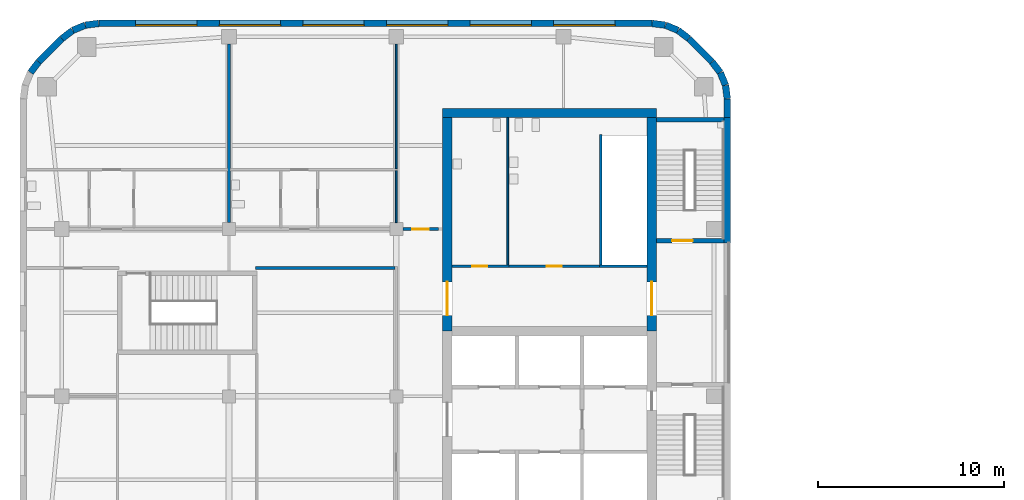
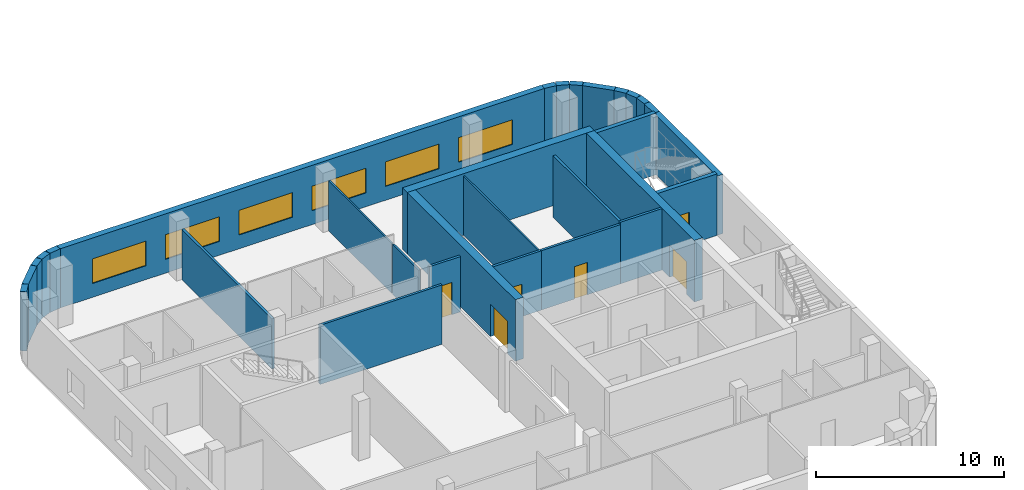
# One storey, part 7 of 15: 30 walls, 6 doors, 6 windows, 12 openings.
"""IFC4 building model written with IfcOpenShell, lengths in metres."""

from ifc_helpers import new_model, si_unit, direction, frame, frame_2d, origin, place, context, subcontext, project, spatial, rectangle, extrude, material, layer, layer_set, type_object, element, fill, save


model = new_model("IFC4")

# Units and contexts
model_context = context("Model", 3, precision=1e-05, world=origin(), true_north=direction((0.0, 1.0)))
body_context = subcontext(model_context, "Body", "Model", "MODEL_VIEW")
ifc_project = project(units=[si_unit("LENGTHUNIT", "METRE"), si_unit("AREAUNIT", "SQUARE_METRE"), si_unit("VOLUMEUNIT", "CUBIC_METRE"), si_unit("PLANEANGLEUNIT", "RADIAN"), si_unit("MASSUNIT", "GRAM", prefix="KILO")], contexts=[model_context])

# Site, building, storey
site_placement = place(None, origin())
site = spatial("IfcSite", under=ifc_project, at=site_placement, CompositionType="ELEMENT")
building_placement = place(site_placement, origin())
building = spatial("IfcBuilding", under=site, at=building_placement, Name="Cinnabar Reach Civic Tower", CompositionType="ELEMENT")
storey_placement = place(building_placement, frame((0.0, 0.0, 59.0)))
storey = spatial("IfcBuildingStorey", under=building, at=storey_placement, Name="L13", CompositionType="ELEMENT", Elevation=59.0)

# Walls
ifc_material_1 = material(Name="Facing brick with insulated backing", Category="masonry")
ifc_layer_1 = layer(ifc_material_1, 0.36)
ifc_layer_set_1 = layer_set([ifc_layer_1], Name="Brick corner wall")
wall_type_1 = type_object("IfcWallType", Name="Brick corner wall", PredefinedType="STANDARD", material=ifc_layer_set_1)
for number, where, z_axis, x_axis, name in (
    (1, (-27.183, 43.0186, 0.0), (0.0, 0.0, 1.0), (-0.13055608231, 0.99144092581, 0.0), "Brick corner wall"),
    (2, (-27.2819, 43.7473, 0.0), (0.0, 0.0, 1.0), (-0.382702709855, 0.923871547278, 0.0), "Brick corner wall"),
):
    element("IfcWall", number, at=place(storey_placement, frame(where, z_axis=z_axis, x_axis=x_axis)), inside=storey, type_object=wall_type_1, Name=name, PredefinedType="STANDARD", context=body_context, shape_type="SweptSolid", body=[
        extrude(rectangle(XDim=0.7131, YDim=0.36, at=frame_2d((0.3565, 0.0))), origin(), (0.0, 0.0, 1.0), 3.85),
    ])
for number, where, z_axis, x_axis, name in (
    (3, (-27.566, 44.4255, 0.0), (0.0, 0.0, 1.0), (-0.608802368033, 0.793321924995, 0.0), "Brick corner wall"),
    (4, (-29.2587, 46.2498, 0.0), (0.0, 0.0, 1.0), (-0.793321924995, 0.608802368033, 0.0), "Brick corner wall"),
):
    element("IfcWall", number, at=place(storey_placement, frame(where, z_axis=z_axis, x_axis=x_axis)), inside=storey, type_object=wall_type_1, Name=name, PredefinedType="STANDARD", context=body_context, shape_type="SweptSolid", body=[
        extrude(rectangle(XDim=0.7132, YDim=0.36, at=frame_2d((0.3566, 0.0))), origin(), (0.0, 0.0, 1.0), 3.85),
    ])
for number, where, z_axis, x_axis, name in (
    (5, (-29.8439, 46.6952, 0.0), (0.0, 0.0, 1.0), (-0.923871547278, 0.382702709855, 0.0), "Brick corner wall"),
    (6, (-30.5244, 46.9739, 0.0), (0.0, 0.0, 1.0), (-0.99144092581, 0.13055608231, 0.0), "Brick corner wall"),
    (7, (-61.0186, 47.067, 0.0), (0.0, 0.0, 1.0), (-0.99144092581, -0.13055608231, 0.0), "Brick corner wall"),
    (8, (-61.7473, 46.9681, 0.0), (0.0, 0.0, 1.0), (-0.923871547278, -0.382702709855, 0.0), "Brick corner wall"),
):
    element("IfcWall", number, at=place(storey_placement, frame(where, z_axis=z_axis, x_axis=x_axis)), inside=storey, type_object=wall_type_1, Name=name, PredefinedType="STANDARD", context=body_context, shape_type="SweptSolid", body=[
        extrude(rectangle(XDim=0.7131, YDim=0.36, at=frame_2d((0.3565, 0.0))), origin(), (0.0, 0.0, 1.0), 3.85),
    ])
for number, where, z_axis, x_axis, name in (
    (9, (-62.4255, 46.684, 0.0), (0.0, 0.0, 1.0), (-0.793321924995, -0.608802368033, 0.0), "Brick corner wall"),
    (10, (-64.2498, 44.9913, 0.0), (0.0, 0.0, 1.0), (-0.608802368033, -0.793321924995, 0.0), "Brick corner wall"),
):
    element("IfcWall", number, at=place(storey_placement, frame(where, z_axis=z_axis, x_axis=x_axis)), inside=storey, type_object=wall_type_1, Name=name, PredefinedType="STANDARD", context=body_context, shape_type="SweptSolid", body=[
        extrude(rectangle(XDim=0.7132, YDim=0.36, at=frame_2d((0.3566, 0.0))), origin(), (0.0, 0.0, 1.0), 3.85),
    ])
ifc_layer_2 = layer(ifc_material_1, 0.36)
ifc_layer_set_2 = layer_set([ifc_layer_2], Name="Brick pier and spandrel wall")
wall_type_2 = type_object("IfcWallType", Name="Brick pier and spandrel wall", PredefinedType="STANDARD", material=ifc_layer_set_2)
wall_1_placement = place(storey_placement, frame((-27.18, 35.25, 0.0), z_axis=(0.0, 0.0, 1.0), x_axis=(0.0, 1.0, 0.0)))
element("IfcWall", 11, at=wall_1_placement, inside=storey, type_object=wall_type_2, Name="Brick facade wall", PredefinedType="STANDARD", context=body_context, shape_type="SweptSolid", body=[
    extrude(rectangle(XDim=6.75, YDim=0.36, at=frame_2d((3.375, 0.0))), origin(), (0.0, 0.0, 1.0), 3.85),
])
wall_2_placement = place(storey_placement, frame((-27.18, 42.0, 0.0), z_axis=(0.0, 0.0, 1.0), x_axis=(0.0, 1.0, 0.0)))
element("IfcWall", 12, at=wall_2_placement, inside=storey, type_object=wall_type_2, Name="Brick facade wall", PredefinedType="STANDARD", context=body_context, shape_type="SweptSolid", body=[
    extrude(rectangle(XDim=1.0074, YDim=0.36, at=frame_2d((0.5037, 0.0))), origin(), (0.0, 0.0, 1.0), 3.85),
])
wall_3_placement = place(storey_placement, frame((-28.006, 45.0014, 0.0), z_axis=(0.0, 0.0, 1.0), x_axis=(-0.707106781187, 0.707106781187, 0.0)))
element("IfcWall", 13, at=wall_3_placement, inside=storey, type_object=wall_type_2, Name="Brick facade wall", PredefinedType="STANDARD", context=body_context, shape_type="SweptSolid", body=[
    extrude(rectangle(XDim=1.7573, YDim=0.36, at=frame_2d((0.8787, 0.0))), origin(), (0.0, 0.0, 1.0), 3.85),
])

# Wall, openings, windows
wall_4_placement = place(storey_placement, frame((-31.2426, 47.07, 0.0), z_axis=(0.0, 0.0, 1.0), x_axis=(-1.0, 0.0, 0.0)))
wall_4 = element("IfcWall", 14, at=wall_4_placement, inside=storey, type_object=wall_type_2, Name="Brick facade wall", PredefinedType="STANDARD", context=body_context, shape_type="SweptSolid", body=[
    extrude(rectangle(XDim=29.7648, YDim=0.36, at=frame_2d((14.8824, 0.0))), origin(), (0.0, 0.0, 1.0), 3.85),
])
opening_1_placement = place(wall_4_placement, frame((1.9824, 0.0, 0.9)))
opening_1 = element("IfcOpeningElement", 15, at=opening_1_placement, cuts=wall_4, Name="Opening W2522", PredefinedType="OPENING", context=body_context, shape_type="SweptSolid", body=[
    extrude(rectangle(XDim=3.3, YDim=1.6, at=frame_2d((1.65, 0.8))), frame((0.0, 0.19, 0.0), z_axis=(0.0, -1.0, 0.0), x_axis=(1.0, 0.0, 0.0)), (0.0, 0.0, 1.0), 0.38),
])
opening_2_placement = place(wall_4_placement, frame((6.4824, 0.0, 0.9)))
opening_2 = element("IfcOpeningElement", 16, at=opening_2_placement, cuts=wall_4, Name="Opening W2523", PredefinedType="OPENING", context=body_context, shape_type="SweptSolid", body=[
    extrude(rectangle(XDim=3.3, YDim=1.6, at=frame_2d((1.65, 0.8))), frame((0.0, 0.19, 0.0), z_axis=(0.0, -1.0, 0.0), x_axis=(1.0, 0.0, 0.0)), (0.0, 0.0, 1.0), 0.38),
])
opening_3_placement = place(wall_4_placement, frame((10.9824, 0.0, 0.9)))
opening_3 = element("IfcOpeningElement", 17, at=opening_3_placement, cuts=wall_4, Name="Opening W2524", PredefinedType="OPENING", context=body_context, shape_type="SweptSolid", body=[
    extrude(rectangle(XDim=3.3, YDim=1.6, at=frame_2d((1.65, 0.8))), frame((0.0, 0.19, 0.0), z_axis=(0.0, -1.0, 0.0), x_axis=(1.0, 0.0, 0.0)), (0.0, 0.0, 1.0), 0.38),
])
opening_4_placement = place(wall_4_placement, frame((15.4824, 0.0, 0.9)))
opening_4 = element("IfcOpeningElement", 18, at=opening_4_placement, cuts=wall_4, Name="Opening W2525", PredefinedType="OPENING", context=body_context, shape_type="SweptSolid", body=[
    extrude(rectangle(XDim=3.3, YDim=1.6, at=frame_2d((1.65, 0.8))), frame((0.0, 0.19, 0.0), z_axis=(0.0, -1.0, 0.0), x_axis=(1.0, 0.0, 0.0)), (0.0, 0.0, 1.0), 0.38),
])
opening_5_placement = place(wall_4_placement, frame((19.9824, 0.0, 0.9)))
opening_5 = element("IfcOpeningElement", 19, at=opening_5_placement, cuts=wall_4, Name="Opening W2526", PredefinedType="OPENING", context=body_context, shape_type="SweptSolid", body=[
    extrude(rectangle(XDim=3.3, YDim=1.6, at=frame_2d((1.65, 0.8))), frame((0.0, 0.19, 0.0), z_axis=(0.0, -1.0, 0.0), x_axis=(1.0, 0.0, 0.0)), (0.0, 0.0, 1.0), 0.38),
])
opening_6_placement = place(wall_4_placement, frame((24.4824, 0.0, 0.9)))
opening_6 = element("IfcOpeningElement", 20, at=opening_6_placement, cuts=wall_4, Name="Opening W2527", PredefinedType="OPENING", context=body_context, shape_type="SweptSolid", body=[
    extrude(rectangle(XDim=3.3, YDim=1.6, at=frame_2d((1.65, 0.8))), frame((0.0, 0.19, 0.0), z_axis=(0.0, -1.0, 0.0), x_axis=(1.0, 0.0, 0.0)), (0.0, 0.0, 1.0), 0.38),
])
ifc_material_2 = material(Name="Clear double glazing in aluminium frame", Category="aluminium")
window_type = type_object("IfcWindowType", Name="Deep-set window A", PartitioningType="SINGLE_PANEL", PredefinedType="WINDOW", material=ifc_material_2)
window_1_placement = place(opening_1_placement, origin())
window_1 = element("IfcWindow", 21, at=window_1_placement, inside=storey, type_object=window_type, Name="Window north face", OverallHeight=1.6, OverallWidth=3.3, PartitioningType="SINGLE_PANEL", PredefinedType="WINDOW", context=body_context, shape_type="SweptSolid", body=[
    extrude(rectangle(XDim=3.3, YDim=1.6, at=frame_2d((1.65, 0.8))), frame((0.0, 0.13, 0.0), z_axis=(0.0, -1.0, 0.0), x_axis=(1.0, 0.0, 0.0)), (0.0, 0.0, 1.0), 0.06),
])
fill(opening_1, window_1)
window_2_placement = place(opening_2_placement, origin())
window_2 = element("IfcWindow", 22, at=window_2_placement, inside=storey, type_object=window_type, Name="Window north face", OverallHeight=1.6, OverallWidth=3.3, PartitioningType="SINGLE_PANEL", PredefinedType="WINDOW", context=body_context, shape_type="SweptSolid", body=[
    extrude(rectangle(XDim=3.3, YDim=1.6, at=frame_2d((1.65, 0.8))), frame((0.0, 0.13, 0.0), z_axis=(0.0, -1.0, 0.0), x_axis=(1.0, 0.0, 0.0)), (0.0, 0.0, 1.0), 0.06),
])
fill(opening_2, window_2)
window_3_placement = place(opening_3_placement, origin())
window_3 = element("IfcWindow", 23, at=window_3_placement, inside=storey, type_object=window_type, Name="Window north face", OverallHeight=1.6, OverallWidth=3.3, PartitioningType="SINGLE_PANEL", PredefinedType="WINDOW", context=body_context, shape_type="SweptSolid", body=[
    extrude(rectangle(XDim=3.3, YDim=1.6, at=frame_2d((1.65, 0.8))), frame((0.0, 0.13, 0.0), z_axis=(0.0, -1.0, 0.0), x_axis=(1.0, 0.0, 0.0)), (0.0, 0.0, 1.0), 0.06),
])
fill(opening_3, window_3)
window_4_placement = place(opening_4_placement, origin())
window_4 = element("IfcWindow", 24, at=window_4_placement, inside=storey, type_object=window_type, Name="Window north face", OverallHeight=1.6, OverallWidth=3.3, PartitioningType="SINGLE_PANEL", PredefinedType="WINDOW", context=body_context, shape_type="SweptSolid", body=[
    extrude(rectangle(XDim=3.3, YDim=1.6, at=frame_2d((1.65, 0.8))), frame((0.0, 0.13, 0.0), z_axis=(0.0, -1.0, 0.0), x_axis=(1.0, 0.0, 0.0)), (0.0, 0.0, 1.0), 0.06),
])
fill(opening_4, window_4)
window_5_placement = place(opening_5_placement, origin())
window_5 = element("IfcWindow", 25, at=window_5_placement, inside=storey, type_object=window_type, Name="Window north face", OverallHeight=1.6, OverallWidth=3.3, PartitioningType="SINGLE_PANEL", PredefinedType="WINDOW", context=body_context, shape_type="SweptSolid", body=[
    extrude(rectangle(XDim=3.3, YDim=1.6, at=frame_2d((1.65, 0.8))), frame((0.0, 0.13, 0.0), z_axis=(0.0, -1.0, 0.0), x_axis=(1.0, 0.0, 0.0)), (0.0, 0.0, 1.0), 0.06),
])
fill(opening_5, window_5)
window_6_placement = place(opening_6_placement, origin())
window_6 = element("IfcWindow", 26, at=window_6_placement, inside=storey, type_object=window_type, Name="Window north face", OverallHeight=1.6, OverallWidth=3.3, PartitioningType="SINGLE_PANEL", PredefinedType="WINDOW", context=body_context, shape_type="SweptSolid", body=[
    extrude(rectangle(XDim=3.3, YDim=1.6, at=frame_2d((1.65, 0.8))), frame((0.0, 0.13, 0.0), z_axis=(0.0, -1.0, 0.0), x_axis=(1.0, 0.0, 0.0)), (0.0, 0.0, 1.0), 0.06),
])
fill(opening_6, window_6)

# Walls
wall_5_placement = place(storey_placement, frame((-63.0014, 46.244, 0.0), z_axis=(0.0, 0.0, 1.0), x_axis=(-0.707106781187, -0.707106781187, 0.0)))
element("IfcWall", 27, at=wall_5_placement, inside=storey, type_object=wall_type_2, Name="Brick facade wall", PredefinedType="STANDARD", context=body_context, shape_type="SweptSolid", body=[
    extrude(rectangle(XDim=1.7573, YDim=0.36, at=frame_2d((0.8787, 0.0))), origin(), (0.0, 0.0, 1.0), 3.85),
])
ifc_material_3 = material(Name="Concrete C60", Category="concrete")
ifc_layer_3 = layer(ifc_material_3, 0.5)
ifc_layer_set_3 = layer_set([ifc_layer_3], Name="Core wall 500 EI 180")
wall_type_3 = type_object("IfcWallType", Name="Core wall 500 EI 180", PredefinedType="SOLIDWALL", material=ifc_layer_set_3)
wall_6_placement = place(storey_placement, frame((-31.0, 42.25, 0.0), z_axis=(0.0, 0.0, 1.0), x_axis=(-1.0, 0.0, 0.0)))
element("IfcWall", 28, at=wall_6_placement, inside=storey, type_object=wall_type_3, Name="Core wall T2 L13 N", PredefinedType="SOLIDWALL", context=body_context, shape_type="SweptSolid", body=[
    extrude(rectangle(XDim=11.5, YDim=0.5, at=frame_2d((5.75, 0.0))), origin(), (0.0, 0.0, 1.0), 4.0),
])

# Wall, opening, door
wall_7_placement = place(storey_placement, frame((-31.25, 30.5, 0.0), z_axis=(0.0, 0.0, 1.0), x_axis=(0.0, 1.0, 0.0)))
wall_7 = element("IfcWall", 29, at=wall_7_placement, inside=storey, type_object=wall_type_3, Name="Core wall T2 L13 E2", PredefinedType="SOLIDWALL", context=body_context, shape_type="SweptSolid", body=[
    extrude(rectangle(XDim=11.5, YDim=0.5, at=frame_2d((5.75, 0.0))), origin(), (0.0, 0.0, 1.0), 4.0),
])
opening_7_placement = place(wall_7_placement, frame((0.85, 0.0, 0.0)))
opening_7 = element("IfcOpeningElement", 30, at=opening_7_placement, cuts=wall_7, Name="Opening D6493", PredefinedType="OPENING", context=body_context, shape_type="SweptSolid", body=[
    extrude(rectangle(XDim=1.8, YDim=2.1, at=frame_2d((0.9, 1.05))), frame((0.0, 0.26, 0.0), z_axis=(0.0, -1.0, 0.0), x_axis=(1.0, 0.0, 0.0)), (0.0, 0.0, 1.0), 0.52),
])
ifc_material_4 = material(Name="Steel fire door", Category="steel")
door_type_1 = type_object("IfcDoorType", Name="T2 Double door 1800", OperationType="DOUBLE_DOOR_SINGLE_SWING", PredefinedType="DOOR", material=ifc_material_4)
door_1_placement = place(opening_7_placement, origin())
door_1 = element("IfcDoor", 31, at=door_1_placement, inside=storey, type_object=door_type_1, Name="T2 Double door D6493", OperationType="DOUBLE_DOOR_SINGLE_SWING", OverallHeight=2.1, OverallWidth=1.8, PredefinedType="DOOR", context=body_context, shape_type="SweptSolid", body=[
    extrude(rectangle(XDim=1.8, YDim=2.1, at=frame_2d((0.9, 1.05))), frame((0.0, 0.025, 0.0), z_axis=(0.0, -1.0, 0.0), x_axis=(1.0, 0.0, 0.0)), (0.0, 0.0, 1.0), 0.05),
])
fill(opening_7, door_1)

wall_8_placement = place(storey_placement, frame((-42.25, 42.0, 0.0), z_axis=(0.0, 0.0, 1.0), x_axis=(0.0, -1.0, 0.0)))
wall_8 = element("IfcWall", 32, at=wall_8_placement, inside=storey, type_object=wall_type_3, Name="Core wall T2 L13 W", PredefinedType="SOLIDWALL", context=body_context, shape_type="SweptSolid", body=[
    extrude(rectangle(XDim=11.5, YDim=0.5, at=frame_2d((5.75, 0.0))), origin(), (0.0, 0.0, 1.0), 4.0),
])
opening_8_placement = place(wall_8_placement, frame((8.85, 0.0, 0.0)))
opening_8 = element("IfcOpeningElement", 33, at=opening_8_placement, cuts=wall_8, Name="Opening D6495", PredefinedType="OPENING", context=body_context, shape_type="SweptSolid", body=[
    extrude(rectangle(XDim=1.8, YDim=2.1, at=frame_2d((0.9, 1.05))), frame((0.0, 0.26, 0.0), z_axis=(0.0, -1.0, 0.0), x_axis=(1.0, 0.0, 0.0)), (0.0, 0.0, 1.0), 0.52),
])
door_2_placement = place(opening_8_placement, frame((1.8, 0.0, 0.0), z_axis=(0.0, 0.0, 1.0), x_axis=(-1.0, 0.0, 0.0)))
door_2 = element("IfcDoor", 34, at=door_2_placement, inside=storey, type_object=door_type_1, Name="T2 Double door D6495", OperationType="DOUBLE_DOOR_SINGLE_SWING", OverallHeight=2.1, OverallWidth=1.8, PredefinedType="DOOR", context=body_context, shape_type="SweptSolid", body=[
    extrude(rectangle(XDim=1.8, YDim=2.1, at=frame_2d((0.9, 1.05))), frame((0.0, 0.025, 0.0), z_axis=(0.0, -1.0, 0.0), x_axis=(1.0, 0.0, 0.0)), (0.0, 0.0, 1.0), 0.05),
])
fill(opening_8, door_2)

ifc_material_5 = material(Name="Gypsum board on steel studs, double layer", Category="steel")
ifc_layer_4 = layer(ifc_material_5, 0.15)
ifc_layer_set_4 = layer_set([ifc_layer_4], Name="Corridor wall 150 T2")
wall_type_4 = type_object("IfcWallType", Name="Corridor wall 150 T2", PredefinedType="PARTITIONING", material=ifc_layer_set_4)
wall_9_placement = place(storey_placement, frame((-44.65, 36.0, 0.0), z_axis=(0.0, 0.0, 1.0), x_axis=(1.0, 0.0, 0.0)))
wall_9 = element("IfcWall", 35, at=wall_9_placement, inside=storey, type_object=wall_type_4, Name="Corridor wall 5", PredefinedType="PARTITIONING", context=body_context, shape_type="SweptSolid", body=[
    extrude(rectangle(XDim=1.925, YDim=0.15, at=frame_2d((0.9625, 0.0))), origin(), (0.0, 0.0, 1.0), 3.602),
])
opening_9_placement = place(wall_9_placement, frame((0.5, 0.0, 0.0)))
opening_9 = element("IfcOpeningElement", 36, at=opening_9_placement, cuts=wall_9, Name="Opening D6498", PredefinedType="OPENING", context=body_context, shape_type="SweptSolid", body=[
    extrude(rectangle(XDim=0.9, YDim=2.1, at=frame_2d((0.45, 1.05))), frame((0.0, 0.085, 0.0), z_axis=(0.0, -1.0, 0.0), x_axis=(1.0, 0.0, 0.0)), (0.0, 0.0, 1.0), 0.17),
])
ifc_material_6 = material(Name="Timber door leaf in steel frame", Category="steel")
door_type_2 = type_object("IfcDoorType", Name="Single swing door 900 x 2100 T2", OperationType="SINGLE_SWING_LEFT", PredefinedType="DOOR", material=ifc_material_6)
door_3_placement = place(opening_9_placement, origin())
door_3 = element("IfcDoor", 37, at=door_3_placement, inside=storey, type_object=door_type_2, Name="Door D6498", OperationType="SINGLE_SWING_LEFT", OverallHeight=2.1, OverallWidth=0.9, PredefinedType="DOOR", context=body_context, shape_type="SweptSolid", body=[
    extrude(rectangle(XDim=0.9, YDim=2.1, at=frame_2d((0.45, 1.05))), frame((0.0, 0.025, 0.0), z_axis=(0.0, -1.0, 0.0), x_axis=(1.0, 0.0, 0.0)), (0.0, 0.0, 1.0), 0.05),
])
fill(opening_9, door_3)

# Walls
wall_10_placement = place(storey_placement, frame((-52.575, 33.9, 0.0), z_axis=(0.0, 0.0, 1.0), x_axis=(1.0, 0.0, 0.0)))
element("IfcWall", 38, at=wall_10_placement, inside=storey, type_object=wall_type_4, Name="Corridor wall 12", PredefinedType="PARTITIONING", context=body_context, shape_type="SweptSolid", body=[
    extrude(rectangle(XDim=7.5, YDim=0.15, at=frame_2d((3.75, 0.0))), origin(), (0.0, 0.0, 1.0), 3.85),
])
ifc_material_7 = material(Name="Gypsum board on steel studs", Category="steel")
ifc_layer_5 = layer(ifc_material_7, 0.1)
ifc_layer_set_5 = layer_set([ifc_layer_5], Name="Partition wall 100 T2")
wall_type_5 = type_object("IfcWallType", Name="Partition wall 100 T2", PredefinedType="PARTITIONING", material=ifc_layer_set_5)
wall_11_placement = place(storey_placement, frame((-45.0, 39.25, 0.0), z_axis=(0.0, 0.0, 1.0), x_axis=(0.0, 1.0, 0.0)))
element("IfcWall", 39, at=wall_11_placement, inside=storey, type_object=wall_type_5, Name="Partition wall 20", PredefinedType="PARTITIONING", context=body_context, shape_type="SweptSolid", body=[
    extrude(rectangle(XDim=6.7, YDim=0.1, at=frame_2d((3.35, 0.0))), origin(), (0.0, 0.0, 1.0), 3.256),
])
wall_12_placement = place(storey_placement, frame((-45.0, 36.35, 0.0), z_axis=(0.0, 0.0, 1.0), x_axis=(0.0, 1.0, 0.0)))
element("IfcWall", 40, at=wall_12_placement, inside=storey, type_object=wall_type_5, Name="Partition wall 21", PredefinedType="PARTITIONING", context=body_context, shape_type="SweptSolid", body=[
    extrude(rectangle(XDim=2.8, YDim=0.1, at=frame_2d((1.4, 0.0))), origin(), (0.0, 0.0, 1.0), 3.256),
])

# Wall, opening, door
ifc_layer_6 = layer(ifc_material_3, 0.25)
ifc_layer_set_6 = layer_set([ifc_layer_6], Name="Stair shaft wall 250 EI 120")
wall_type_6 = type_object("IfcWallType", Name="Stair shaft wall 250 EI 120", PredefinedType="SOLIDWALL", material=ifc_layer_set_6)
wall_13_placement = place(storey_placement, frame((-31.0, 35.375, 0.0), z_axis=(0.0, 0.0, 1.0), x_axis=(1.0, 0.0, 0.0)))
wall_13 = element("IfcWall", 41, at=wall_13_placement, inside=storey, type_object=wall_type_6, Name="Stair shaft wall T2-S2 L13", PredefinedType="SOLIDWALL", context=body_context, shape_type="SweptSolid", body=[
    extrude(rectangle(XDim=3.64, YDim=0.25, at=frame_2d((1.82, 0.0))), origin(), (0.0, 0.0, 1.0), 4.0),
])
opening_10_placement = place(wall_13_placement, frame((0.85, 0.0, 0.0)))
opening_10 = element("IfcOpeningElement", 42, at=opening_10_placement, cuts=wall_13, Name="Opening D6492", PredefinedType="OPENING", context=body_context, shape_type="SweptSolid", body=[
    extrude(rectangle(XDim=1.1, YDim=2.1, at=frame_2d((0.55, 1.05))), frame((0.0, 0.135, 0.0), z_axis=(0.0, -1.0, 0.0), x_axis=(1.0, 0.0, 0.0)), (0.0, 0.0, 1.0), 0.27),
])
door_type_3 = type_object("IfcDoorType", Name="T2 Stair door 1100", OperationType="SINGLE_SWING_LEFT", PredefinedType="DOOR", material=ifc_material_4)
door_4_placement = place(opening_10_placement, origin())
door_4 = element("IfcDoor", 43, at=door_4_placement, inside=storey, type_object=door_type_3, Name="T2 Stair door D6492", OperationType="SINGLE_SWING_LEFT", OverallHeight=2.1, OverallWidth=1.1, PredefinedType="DOOR", context=body_context, shape_type="SweptSolid", body=[
    extrude(rectangle(XDim=1.1, YDim=2.1, at=frame_2d((0.55, 1.05))), frame((0.0, 0.025, 0.0), z_axis=(0.0, -1.0, 0.0), x_axis=(1.0, 0.0, 0.0)), (0.0, 0.0, 1.0), 0.05),
])
fill(opening_10, door_4)

# Wall
wall_14_placement = place(storey_placement, frame((-27.36, 41.875, 0.0), z_axis=(0.0, 0.0, 1.0), x_axis=(-1.0, 0.0, 0.0)))
element("IfcWall", 44, at=wall_14_placement, inside=storey, type_object=wall_type_6, Name="Stair shaft wall T2-S2 L13", PredefinedType="SOLIDWALL", context=body_context, shape_type="SweptSolid", body=[
    extrude(rectangle(XDim=3.64, YDim=0.25, at=frame_2d((1.82, 0.0))), origin(), (0.0, 0.0, 1.0), 4.0),
])

# Wall, opening, door
ifc_material_8 = material(Name="Masonry block partition", Category="masonry")
ifc_layer_7 = layer(ifc_material_8, 0.15)
ifc_layer_set_7 = layer_set([ifc_layer_7], Name="T2 Corridor wall 150")
wall_type_7 = type_object("IfcWallType", Name="T2 Corridor wall 150", PredefinedType="PARTITIONING", material=ifc_layer_set_7)
wall_15_placement = place(storey_placement, frame((-38.925, 34.0, 0.0), z_axis=(0.0, 0.0, 1.0), x_axis=(-1.0, 0.0, 0.0)))
wall_15 = element("IfcWall", 45, at=wall_15_placement, inside=storey, type_object=wall_type_7, Name="T2 Corridor wall L13 014", PredefinedType="PARTITIONING", context=body_context, shape_type="SweptSolid", body=[
    extrude(rectangle(XDim=3.075, YDim=0.15, at=frame_2d((1.5375, 0.0))), origin(), (0.0, 0.0, 1.0), 3.85),
])
opening_11_placement = place(wall_15_placement, frame((1.175, 0.0, 0.0)))
opening_11 = element("IfcOpeningElement", 46, at=opening_11_placement, cuts=wall_15, Name="Opening D6496", PredefinedType="OPENING", context=body_context, shape_type="SweptSolid", body=[
    extrude(rectangle(XDim=0.8, YDim=2.1, at=frame_2d((0.4, 1.05))), frame((0.0, 0.085, 0.0), z_axis=(0.0, -1.0, 0.0), x_axis=(1.0, 0.0, 0.0)), (0.0, 0.0, 1.0), 0.17),
])
ifc_material_9 = material(Name="Timber door leaf", Category="wood")
door_type_4 = type_object("IfcDoorType", Name="T2 Bathroom door 800", OperationType="SINGLE_SWING_LEFT", PredefinedType="DOOR", material=ifc_material_9)
door_5_placement = place(opening_11_placement, frame((0.8, 0.0, 0.0), z_axis=(0.0, 0.0, 1.0), x_axis=(-1.0, 0.0, 0.0)))
door_5 = element("IfcDoor", 47, at=door_5_placement, inside=storey, type_object=door_type_4, Name="T2 Bathroom door D6496", OperationType="SINGLE_SWING_LEFT", OverallHeight=2.1, OverallWidth=0.8, PredefinedType="DOOR", context=body_context, shape_type="SweptSolid", body=[
    extrude(rectangle(XDim=0.8, YDim=2.1, at=frame_2d((0.4, 1.05))), frame((0.0, 0.025, 0.0), z_axis=(0.0, -1.0, 0.0), x_axis=(1.0, 0.0, 0.0)), (0.0, 0.0, 1.0), 0.05),
])
fill(opening_11, door_5)

wall_16_placement = place(storey_placement, frame((-34.075, 34.0, 0.0), z_axis=(0.0, 0.0, 1.0), x_axis=(-1.0, 0.0, 0.0)))
wall_16 = element("IfcWall", 48, at=wall_16_placement, inside=storey, type_object=wall_type_7, Name="T2 Corridor wall L13 015", PredefinedType="PARTITIONING", context=body_context, shape_type="SweptSolid", body=[
    extrude(rectangle(XDim=4.85, YDim=0.15, at=frame_2d((2.425, 0.0))), origin(), (0.0, 0.0, 1.0), 3.85),
])
opening_12_placement = place(wall_16_placement, frame((2.025, 0.0, 0.0)))
opening_12 = element("IfcOpeningElement", 49, at=opening_12_placement, cuts=wall_16, Name="Opening D6497", PredefinedType="OPENING", context=body_context, shape_type="SweptSolid", body=[
    extrude(rectangle(XDim=0.8, YDim=2.1, at=frame_2d((0.4, 1.05))), frame((0.0, 0.085, 0.0), z_axis=(0.0, -1.0, 0.0), x_axis=(1.0, 0.0, 0.0)), (0.0, 0.0, 1.0), 0.17),
])
door_6_placement = place(opening_12_placement, frame((0.8, 0.0, 0.0), z_axis=(0.0, 0.0, 1.0), x_axis=(-1.0, 0.0, 0.0)))
door_6 = element("IfcDoor", 50, at=door_6_placement, inside=storey, type_object=door_type_4, Name="T2 Bathroom door D6497", OperationType="SINGLE_SWING_RIGHT", OverallHeight=2.1, OverallWidth=0.8, PredefinedType="DOOR", context=body_context, shape_type="SweptSolid", body=[
    extrude(rectangle(XDim=0.8, YDim=2.1, at=frame_2d((0.4, 1.05))), frame((0.0, 0.025, 0.0), z_axis=(0.0, -1.0, 0.0), x_axis=(1.0, 0.0, 0.0)), (0.0, 0.0, 1.0), 0.05),
])
fill(opening_12, door_6)

# Walls
ifc_material_10 = material(Name="Gypsum board partition")
ifc_layer_8 = layer(ifc_material_10, 0.1)
ifc_layer_set_8 = layer_set([ifc_layer_8], Name="T2 Internal partition 100")
wall_type_8 = type_object("IfcWallType", Name="T2 Internal partition 100", PredefinedType="PARTITIONING", material=ifc_layer_set_8)
wall_17_placement = place(storey_placement, frame((-39.0, 34.075, 0.0), z_axis=(0.0, 0.0, 1.0), x_axis=(0.0, 1.0, 0.0)))
element("IfcWall", 51, at=wall_17_placement, inside=storey, type_object=wall_type_8, Name="T2 Internal partition L13 016", PredefinedType="PARTITIONING", context=body_context, shape_type="SweptSolid", body=[
    extrude(rectangle(XDim=7.925, YDim=0.1, at=frame_2d((3.9625, 0.0))), origin(), (0.0, 0.0, 1.0), 3.85),
])
ifc_material_11 = material(Name="Concrete C40", Category="concrete")
ifc_layer_9 = layer(ifc_material_11, 0.15)
ifc_layer_set_9 = layer_set([ifc_layer_9], Name="T2 Riser wall 150")
wall_type_9 = type_object("IfcWallType", Name="T2 Riser wall 150", PredefinedType="SOLIDWALL", material=ifc_layer_set_9)
wall_18_placement = place(storey_placement, frame((-34.075, 34.0, 0.0), z_axis=(0.0, 0.0, 1.0), x_axis=(1.0, 0.0, 0.0)))
element("IfcWall", 52, at=wall_18_placement, inside=storey, type_object=wall_type_9, Name="T2 Riser wall L13 012", PredefinedType="SOLIDWALL", context=body_context, shape_type="SweptSolid", body=[
    extrude(rectangle(XDim=2.575, YDim=0.15, at=frame_2d((1.2875, 0.0))), origin(), (0.0, 0.0, 1.0), 4.0),
])
wall_19_placement = place(storey_placement, frame((-34.0, 41.075, 0.0), z_axis=(0.0, 0.0, 1.0), x_axis=(0.0, -1.0, 0.0)))
element("IfcWall", 53, at=wall_19_placement, inside=storey, type_object=wall_type_9, Name="T2 Riser wall L13 013", PredefinedType="SOLIDWALL", context=body_context, shape_type="SweptSolid", body=[
    extrude(rectangle(XDim=7.0, YDim=0.15, at=frame_2d((3.5, 0.0))), origin(), (0.0, 0.0, 1.0), 4.0),
])
ifc_layer_10 = layer(ifc_material_5, 0.15)
ifc_layer_set_10 = layer_set([ifc_layer_10], Name="Tenancy separating wall 150 T2")
wall_type_10 = type_object("IfcWallType", Name="Tenancy separating wall 150 T2", PredefinedType="PARTITIONING", material=ifc_layer_set_10)
wall_20_placement = place(storey_placement, frame((-54.0, 36.35, 0.0), z_axis=(0.0, 0.0, 1.0), x_axis=(0.0, 1.0, 0.0)))
element("IfcWall", 54, at=wall_20_placement, inside=storey, type_object=wall_type_10, Name="Tenancy separating wall 14", PredefinedType="PARTITIONING", context=body_context, shape_type="SweptSolid", body=[
    extrude(rectangle(XDim=9.6, YDim=0.15, at=frame_2d((4.8, 0.0))), origin(), (0.0, 0.0, 1.0), 3.256),
])

save(model, "model.ifc")
